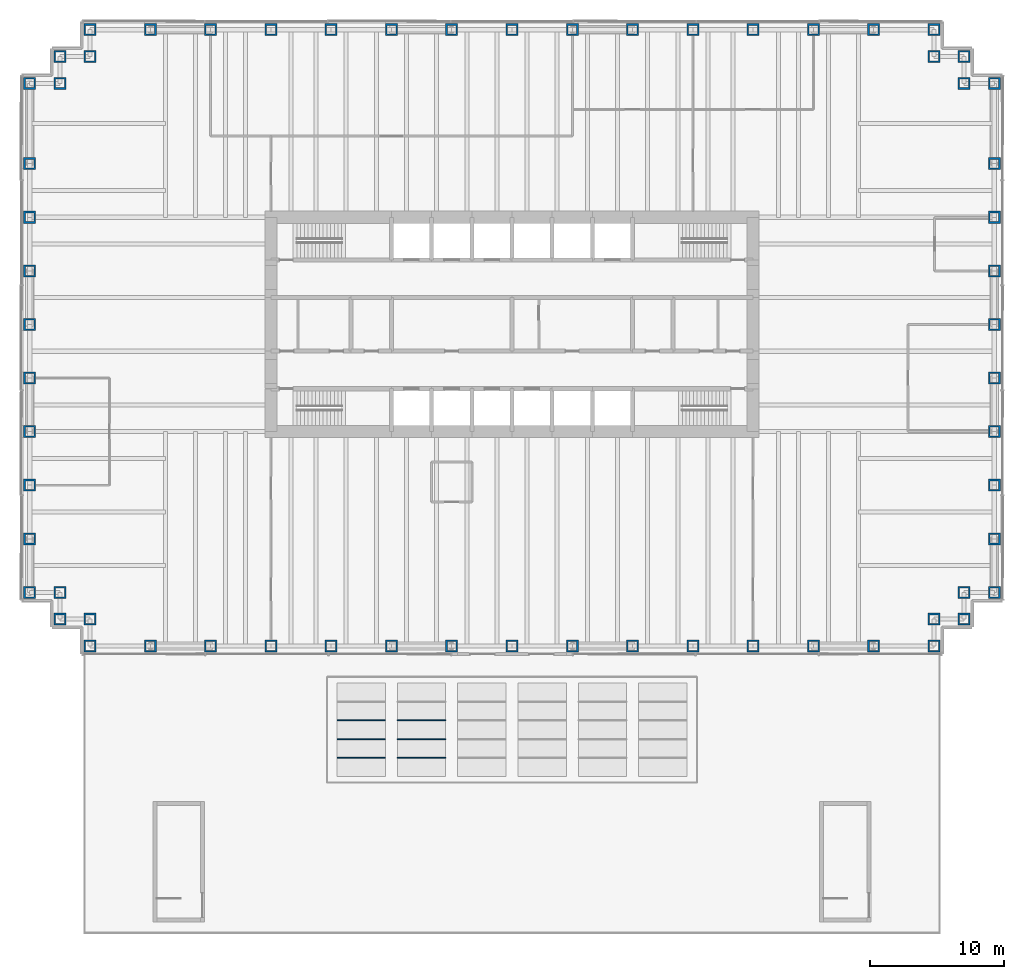
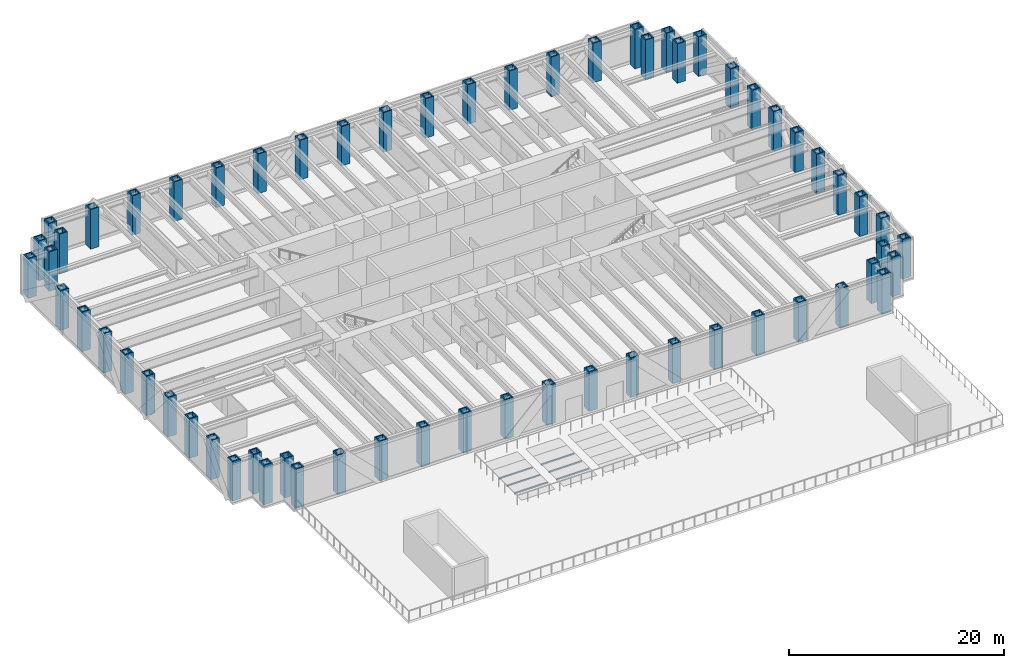
# One storey, part 1 of 15: 62 columns, 6 members.
"""IFC4 building model written with IfcOpenShell, lengths in metres."""

from ifc_helpers import new_model, si_unit, direction, frame, origin, origin_2d, place, context, subcontext, project, spatial, hollow_rectangle, extrude, material, material_profile, profile_set, type_object, element, save


model = new_model("IFC4")

# Units and contexts
model_context = context("Model", 3, precision=1e-05, world=origin(), true_north=direction((0.0, 1.0)))
body_context = subcontext(model_context, "Body", "Model", "MODEL_VIEW")
ifc_project = project(units=[si_unit("LENGTHUNIT", "METRE"), si_unit("AREAUNIT", "SQUARE_METRE"), si_unit("VOLUMEUNIT", "CUBIC_METRE"), si_unit("PLANEANGLEUNIT", "RADIAN"), si_unit("MASSUNIT", "GRAM", prefix="KILO")], contexts=[model_context])

# Site, building, storey
site_placement = place(None, origin())
site = spatial("IfcSite", under=ifc_project, at=site_placement, CompositionType="ELEMENT")
building_placement = place(site_placement, origin())
building = spatial("IfcBuilding", under=site, at=building_placement, Name="Rheinbord Bourse Tower", CompositionType="ELEMENT")
storey_placement = place(building_placement, frame((0.0, 0.0, 23.0)))
storey = spatial("IfcBuildingStorey", under=building, at=storey_placement, Name="L04", CompositionType="ELEMENT", Elevation=23.0)

# Columns
ifc_material_1 = material(Name="Steel S460M", Category="steel")
ifc_material_profile_1 = material_profile(ifc_material_1, hollow_rectangle(XDim=0.89990234375, YDim=0.89990234375, WallThickness=0.1201171875, at=origin_2d()), Name="BOX 900x900x120")
ifc_profile_set_1 = profile_set([ifc_material_profile_1], Name="Steel S460M")
column_type = type_object("IfcColumnType", Name="TUBE COLUMN BOX 900x900x120", PredefinedType="COLUMN", material=ifc_profile_set_1)
for number, where, z_axis, x_axis, name in (
    (1, (4.5, 0.0, 0.0), (0.0, 0.0, 1.0), (0.0, 1.0, 0.0), "Column SW-E L04"),
    (2, (9.0, 0.0, 0.0), (0.0, 0.0, 1.0), (0.0, 1.0, 0.0), "Column S-9 L04"),
    (3, (13.5, 0.0, 0.0), (0.0, 0.0, 1.0), (0.0, 1.0, 0.0), "Column S-13.5 L04"),
    (4, (18.0, 0.0, 0.0), (0.0, 0.0, 1.0), (0.0, 1.0, 0.0), "Column S-18 L04"),
    (5, (22.5, 0.0, 0.0), (0.0, 0.0, 1.0), (0.0, 1.0, 0.0), "Column S-22.5 L04"),
    (6, (27.0, 0.0, 0.0), (0.0, 0.0, 1.0), (0.0, 1.0, 0.0), "Column S-27 L04"),
    (7, (31.5, 0.0, 0.0), (0.0, 0.0, 1.0), (0.0, 1.0, 0.0), "Column S-31.5 L04"),
    (8, (36.0, 0.0, 0.0), (0.0, 0.0, 1.0), (0.0, 1.0, 0.0), "Column S-36 L04"),
    (9, (40.5, 0.0, 0.0), (0.0, 0.0, 1.0), (0.0, 1.0, 0.0), "Column S-40.5 L04"),
    (10, (45.0, 0.0, 0.0), (0.0, 0.0, 1.0), (0.0, 1.0, 0.0), "Column S-45 L04"),
    (11, (49.5, 0.0, 0.0), (0.0, 0.0, 1.0), (0.0, 1.0, 0.0), "Column S-49.5 L04"),
    (12, (54.0, 0.0, 0.0), (0.0, 0.0, 1.0), (0.0, 1.0, 0.0), "Column S-54 L04"),
    (13, (58.5, 0.0, 0.0), (0.0, 0.0, 1.0), (0.0, 1.0, 0.0), "Column S-58.5 L04"),
    (14, (63.0, 0.0, 0.0), (0.0, 0.0, 1.0), (0.0, 1.0, 0.0), "Column S-63 L04"),
    (15, (67.5, 0.0, 0.0), (0.0, 0.0, 1.0), (0.0, 1.0, 0.0), "Column SE-E L04"),
    (16, (67.5, 2.0, 0.0), (0.0, 0.0, 1.0), (0.0, 1.0, 0.0), "Column SE-D L04"),
    (17, (69.75, 2.0, 0.0), (0.0, 0.0, 1.0), (1.0, 0.0, 0.0), "Column SE-C L04"),
    (18, (69.75, 4.0, 0.0), (0.0, 0.0, 1.0), (1.0, 0.0, 0.0), "Column SE-B L04"),
    (19, (72.0, 4.0, 0.0), (0.0, 0.0, 1.0), (1.0, 0.0, 0.0), "Column SE-A L04"),
    (20, (72.0, 8.0, 0.0), (0.0, 0.0, 1.0), (1.0, 0.0, 0.0), "Column E-8 L04"),
    (21, (72.0, 12.0, 0.0), (0.0, 0.0, 1.0), (1.0, 0.0, 0.0), "Column E-12 L04"),
    (22, (72.0, 16.0, 0.0), (0.0, 0.0, 1.0), (1.0, 0.0, 0.0), "Column E-16 L04"),
    (23, (72.0, 20.0, 0.0), (0.0, 0.0, 1.0), (1.0, 0.0, 0.0), "Column E-20 L04"),
    (24, (72.0, 24.0, 0.0), (0.0, 0.0, 1.0), (1.0, 0.0, 0.0), "Column E-24 L04"),
    (25, (72.0, 28.0, 0.0), (0.0, 0.0, 1.0), (1.0, 0.0, 0.0), "Column E-28 L04"),
    (26, (72.0, 32.0, 0.0), (0.0, 0.0, 1.0), (1.0, 0.0, 0.0), "Column E-32 L04"),
    (27, (72.0, 36.0, 0.0), (0.0, 0.0, 1.0), (1.0, 0.0, 0.0), "Column E-36 L04"),
    (28, (72.0, 42.0, 0.0), (0.0, 0.0, 1.0), (1.0, 0.0, 0.0), "Column NE-A L04"),
    (29, (69.75, 42.0, 0.0), (0.0, 0.0, 1.0), (1.0, 0.0, 0.0), "Column NE-B L04"),
    (30, (69.75, 44.0, 0.0), (0.0, 0.0, 1.0), (1.0, 0.0, 0.0), "Column NE-C L04"),
    (31, (67.5, 44.0, 0.0), (0.0, 0.0, 1.0), (0.0, 1.0, 0.0), "Column NE-D L04"),
    (32, (67.5, 46.0, 0.0), (0.0, 0.0, 1.0), (0.0, 1.0, 0.0), "Column NE-E L04"),
    (33, (63.0, 46.0, 0.0), (0.0, 0.0, 1.0), (0.0, 1.0, 0.0), "Column N-63 L04"),
    (34, (58.5, 46.0, 0.0), (0.0, 0.0, 1.0), (0.0, 1.0, 0.0), "Column N-58.5 L04"),
    (35, (54.0, 46.0, 0.0), (0.0, 0.0, 1.0), (0.0, 1.0, 0.0), "Column N-54 L04"),
    (36, (49.5, 46.0, 0.0), (0.0, 0.0, 1.0), (0.0, 1.0, 0.0), "Column N-49.5 L04"),
    (37, (45.0, 46.0, 0.0), (0.0, 0.0, 1.0), (0.0, 1.0, 0.0), "Column N-45 L04"),
    (38, (40.5, 46.0, 0.0), (0.0, 0.0, 1.0), (0.0, 1.0, 0.0), "Column N-40.5 L04"),
    (39, (36.0, 46.0, 0.0), (0.0, 0.0, 1.0), (0.0, 1.0, 0.0), "Column N-36 L04"),
    (40, (31.5, 46.0, 0.0), (0.0, 0.0, 1.0), (0.0, 1.0, 0.0), "Column N-31.5 L04"),
    (41, (27.0, 46.0, 0.0), (0.0, 0.0, 1.0), (0.0, 1.0, 0.0), "Column N-27 L04"),
    (42, (22.5, 46.0, 0.0), (0.0, 0.0, 1.0), (0.0, 1.0, 0.0), "Column N-22.5 L04"),
    (43, (18.0, 46.0, 0.0), (0.0, 0.0, 1.0), (0.0, 1.0, 0.0), "Column N-18 L04"),
    (44, (13.5, 46.0, 0.0), (0.0, 0.0, 1.0), (0.0, 1.0, 0.0), "Column N-13.5 L04"),
    (45, (9.0, 46.0, 0.0), (0.0, 0.0, 1.0), (0.0, 1.0, 0.0), "Column N-9 L04"),
    (46, (4.5, 46.0, 0.0), (0.0, 0.0, 1.0), (0.0, 1.0, 0.0), "Column NW-E L04"),
    (47, (4.5, 44.0, 0.0), (0.0, 0.0, 1.0), (0.0, 1.0, 0.0), "Column NW-D L04"),
    (48, (2.25, 44.0, 0.0), (0.0, 0.0, 1.0), (1.0, 0.0, 0.0), "Column NW-C L04"),
    (49, (2.25, 42.0, 0.0), (0.0, 0.0, 1.0), (1.0, 0.0, 0.0), "Column NW-B L04"),
    (50, (0.0, 42.0, 0.0), (0.0, 0.0, 1.0), (1.0, 0.0, 0.0), "Column NW-A L04"),
    (51, (0.0, 36.0, 0.0), (0.0, 0.0, 1.0), (1.0, 0.0, 0.0), "Column W-36 L04"),
    (52, (0.0, 32.0, 0.0), (0.0, 0.0, 1.0), (1.0, 0.0, 0.0), "Column W-32 L04"),
    (53, (0.0, 28.0, 0.0), (0.0, 0.0, 1.0), (1.0, 0.0, 0.0), "Column W-28 L04"),
    (54, (0.0, 24.0, 0.0), (0.0, 0.0, 1.0), (1.0, 0.0, 0.0), "Column W-24 L04"),
    (55, (0.0, 20.0, 0.0), (0.0, 0.0, 1.0), (1.0, 0.0, 0.0), "Column W-20 L04"),
    (56, (0.0, 16.0, 0.0), (0.0, 0.0, 1.0), (1.0, 0.0, 0.0), "Column W-16 L04"),
    (57, (0.0, 12.0, 0.0), (0.0, 0.0, 1.0), (1.0, 0.0, 0.0), "Column W-12 L04"),
    (58, (0.0, 8.0, 0.0), (0.0, 0.0, 1.0), (1.0, 0.0, 0.0), "Column W-8 L04"),
    (59, (0.0, 4.0, 0.0), (0.0, 0.0, 1.0), (1.0, 0.0, 0.0), "Column SW-A L04"),
    (60, (2.25, 4.0, 0.0), (0.0, 0.0, 1.0), (1.0, 0.0, 0.0), "Column SW-B L04"),
    (61, (2.25, 2.0, 0.0), (0.0, 0.0, 1.0), (1.0, 0.0, 0.0), "Column SW-C L04"),
    (62, (4.5, 2.0, 0.0), (0.0, 0.0, 1.0), (0.0, 1.0, 0.0), "Column SW-D L04"),
):
    element("IfcColumn", number, at=place(storey_placement, frame(where, z_axis=z_axis, x_axis=x_axis)), inside=storey, type_object=column_type, Name=name, PredefinedType="COLUMN", context=body_context, shape_type="SweptSolid", body=[
        extrude(hollow_rectangle(XDim=0.89990234375, YDim=0.89990234375, WallThickness=0.1201171875, at=origin_2d()), origin(), (0.0, 0.0, 1.0), 4.5),
    ])

# Members
ifc_material_2 = material(Name="Steel S460", Category="steel")
ifc_material_profile_2 = material_profile(ifc_material_2, hollow_rectangle(XDim=0.080078125, YDim=0.1201171875, WallThickness=0.00634765625, at=origin_2d()), Name="RHS 120x80x6.3")
ifc_profile_set_2 = profile_set([ifc_material_profile_2], Name="Steel S460")
member_type = type_object("IfcMemberType", Name="GLAZING BEAM RHS 120x80x6.3", PredefinedType="PURLIN", material=ifc_profile_set_2)
for number, where, z_axis, x_axis, name in (
    (63, (22.949951171875, -8.35009765625, -0.110107421875), (1.0, 0.0, 0.0), (0.0, 1.0, 0.0), "Glazing beam 1-1"),
    (64, (22.949951171875, -6.949951171875, -0.110107421875), (1.0, 0.0, 0.0), (0.0, 1.0, 0.0), "Glazing beam 1-2"),
    (65, (22.949951171875, -5.550048828125, -0.110107421875), (1.0, 0.0, 0.0), (0.0, 1.0, 0.0), "Glazing beam 1-3"),
    (66, (27.449951171875, -8.35009765625, -0.110107421875), (1.0, 0.0, 0.0), (0.0, 1.0, 0.0), "Glazing beam 2-1"),
    (67, (27.449951171875, -6.949951171875, -0.110107421875), (1.0, 0.0, 0.0), (0.0, 1.0, 0.0), "Glazing beam 2-2"),
    (68, (27.449951171875, -5.550048828125, -0.110107421875), (1.0, 0.0, 0.0), (0.0, 1.0, 0.0), "Glazing beam 2-3"),
):
    element("IfcMember", number, at=place(storey_placement, frame(where, z_axis=z_axis, x_axis=x_axis)), inside=storey, type_object=member_type, Name=name, PredefinedType="PURLIN", context=body_context, shape_type="SweptSolid", body=[
        extrude(hollow_rectangle(XDim=0.080078125, YDim=0.1201171875, WallThickness=0.00634765625, at=origin_2d()), origin(), (0.0, 0.0, 1.0), 3.60009765625),
    ])

save(model, "model.ifc")
